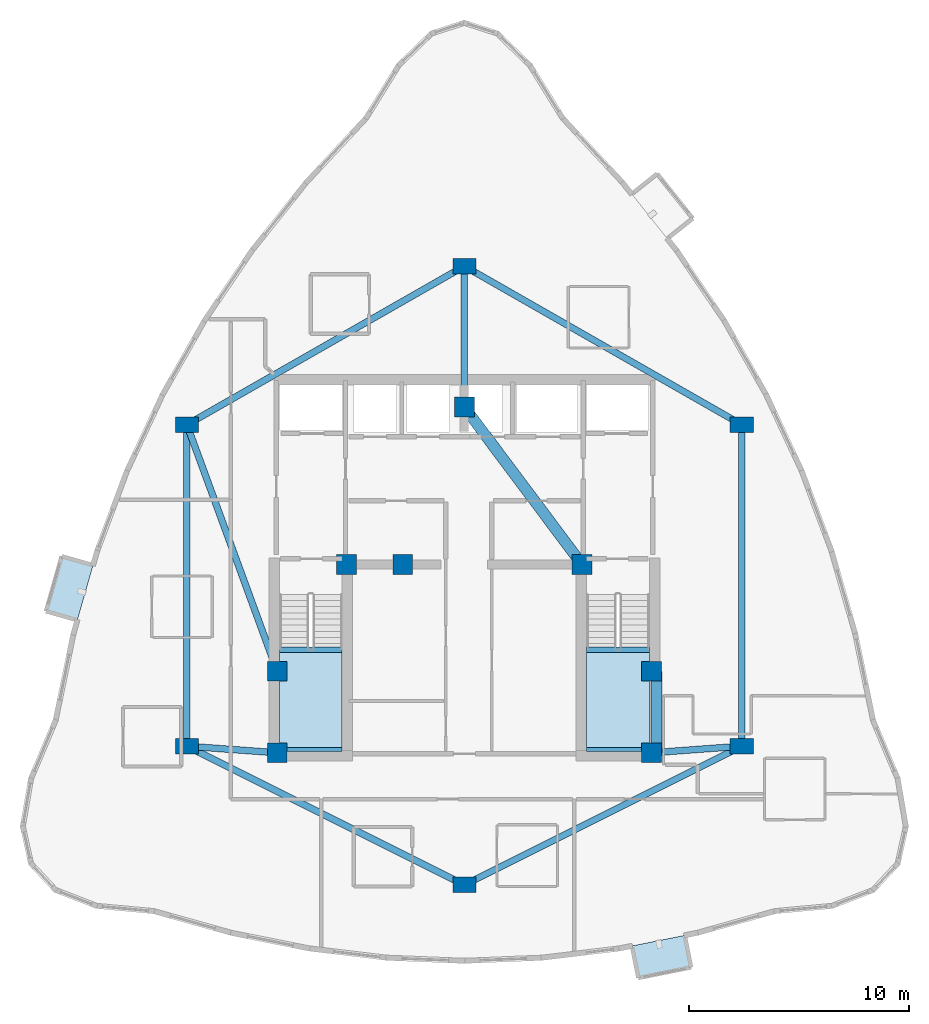
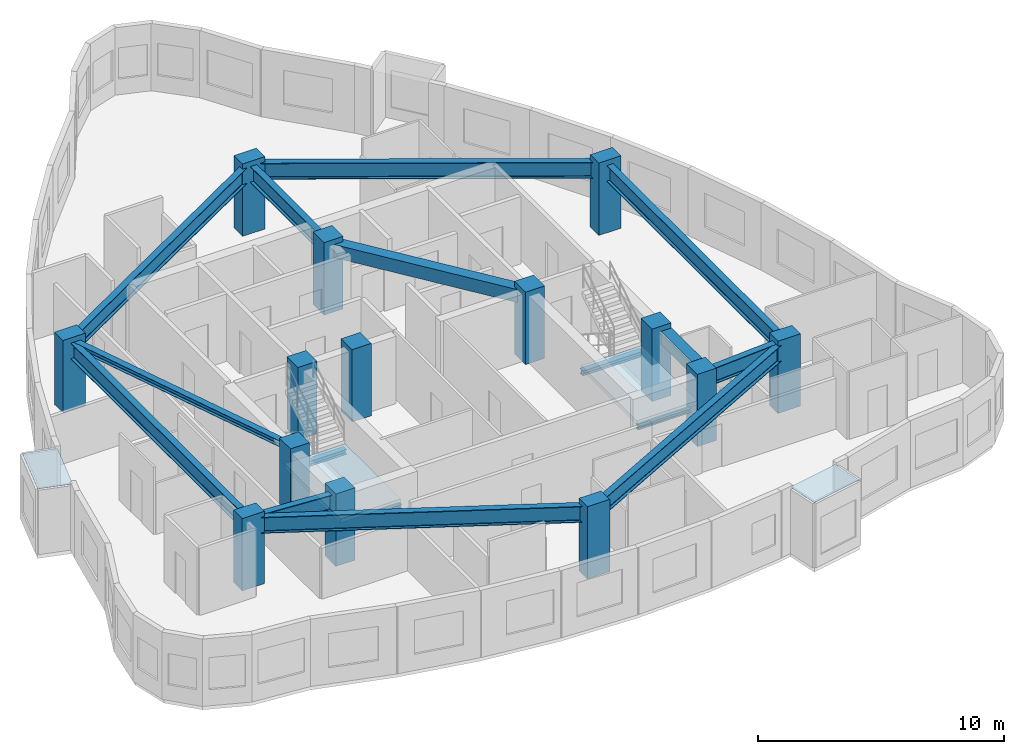
# One storey, part 1 of 8: 16 beams, 14 columns, 2 plates, 2 slabs, 2 elements without a shape of their own.
"""IFC4 building model written with IfcOpenShell, lengths in metres."""

from ifc_helpers import new_model, si_unit, direction, frame, origin, origin_2d, place, context, subcontext, project, spatial, polyline, rectangle, i_section, outline, extrude, material, layer, layer_set, material_profile, profile_set, type_object, element, aggregate, save


model = new_model("IFC4")

# Units and contexts
model_context = context("Model", 3, precision=1e-05, world=origin(), true_north=direction((0.0, 1.0)))
body_context = subcontext(model_context, "Body", "Model", "MODEL_VIEW")
ifc_project = project(units=[si_unit("LENGTHUNIT", "METRE"), si_unit("AREAUNIT", "SQUARE_METRE"), si_unit("VOLUMEUNIT", "CUBIC_METRE"), si_unit("PLANEANGLEUNIT", "RADIAN"), si_unit("MASSUNIT", "GRAM", prefix="KILO")], contexts=[model_context])

# Site, building, storey
site_placement = place(None, origin())
site = spatial("IfcSite", under=ifc_project, at=site_placement, CompositionType="ELEMENT")
building_placement = place(site_placement, origin())
building = spatial("IfcBuilding", under=site, at=building_placement, Name="Miruveldt Soraemaru", CompositionType="ELEMENT")
storey_placement = place(building_placement, frame((0.0, 0.0, 212.39990234375)))
storey = spatial("IfcBuildingStorey", under=building, at=storey_placement, Name="L58", CompositionType="ELEMENT", Elevation=212.39990234375)

# Columns
ifc_material_1 = material(Name="Concrete C50/60 (50 MPa)", Category="concrete")
ifc_material_profile_1 = material_profile(ifc_material_1, rectangle(XDim=0.89990234375, YDim=0.89990234375, at=origin_2d()), Name="Concrete C50/60 (50 MPa)", Category="concrete")
ifc_profile_set_1 = profile_set([ifc_material_profile_1], Name="Concrete C50/60 (50 MPa)")
column_type_1 = type_object("IfcColumnType", Name="COL-CORE-900", PredefinedType="COLUMN", material=ifc_profile_set_1)
for number, where, z_axis, x_axis, name in (
    (1, (35.5, 35.5, 0.0), (0.0, 0.0, 1.0), (1.0, 0.0, 0.0), "L58 Structural Column CC1"),
    (2, (38.64990234375, 44.050048828125, 0.0), (0.0, 0.0, 1.0), (1.0, 0.0, 0.0), "L58 Structural Column CC2"),
    (3, (52.5, 35.5, 0.0), (0.0, 0.0, 1.0), (1.0, 0.0, 0.0), "L58 Structural Column CC3"),
    (4, (52.5, 39.199951171875, 0.0), (0.0, 0.0, 1.0), (1.0, 0.0, 0.0), "L58 Structural Column CC4"),
    (5, (49.35009765625, 44.050048828125, 0.0), (0.0, 0.0, 1.0), (1.0, 0.0, 0.0), "L58 Structural Column CC5"),
    (6, (44.0, 51.199951171875, 0.0), (0.0, 0.0, 1.0), (1.0, 0.0, 0.0), "L58 Structural Column CC6"),
    (7, (35.5, 39.199951171875, 0.0), (0.0, 0.0, 1.0), (1.0, 0.0, 0.0), "L58 Structural Column CC7"),
    (8, (41.199951171875, 44.050048828125, 0.0), (0.0, 0.0, 1.0), (1.0, 0.0, 0.0), "L58 Structural Column CC8"),
):
    element("IfcColumn", number, at=place(storey_placement, frame(where, z_axis=z_axis, x_axis=x_axis)), inside=storey, type_object=column_type_1, Name=name, PredefinedType="COLUMN", context=body_context, shape_type="SweptSolid", body=[
        extrude(rectangle(XDim=0.89990234375, YDim=0.89990234375, at=origin_2d()), origin(), (0.0, 0.0, 1.0), 3.60009765625),
    ])
ifc_material_2 = material(Name="Concrete C60/75 (60 MPa)", Category="concrete")
ifc_material_profile_2 = material_profile(ifc_material_2, rectangle(XDim=1.050048828125, YDim=0.699951171875, at=origin_2d()), Name="Concrete C60/75 (60 MPa)", Category="concrete")
ifc_profile_set_2 = profile_set([ifc_material_profile_2], Name="Concrete C60/75 (60 MPa)")
column_type_2 = type_object("IfcColumnType", Name="COL-TW-Z3", PredefinedType="COLUMN", material=ifc_profile_set_2)
for number, where, z_axis, x_axis, name in (
    (9, (44.0, 57.60009765625, 0.0), (0.0, 0.0, 1.0), (1.0, 0.0, 0.0), "L58 Structural Column IR01"),
    (10, (56.60009765625, 50.39990234375, 0.0), (0.0, 0.0, 1.0), (1.0, 0.0, 0.0), "L58 Structural Column IR02"),
    (11, (56.60009765625, 35.800048828125, 0.0), (0.0, 0.0, 1.0), (1.0, 0.0, 0.0), "L58 Structural Column IR03"),
    (12, (44.0, 29.5, 0.0), (0.0, 0.0, 1.0), (1.0, 0.0, 0.0), "L58 Structural Column IR04"),
    (13, (31.39990234375, 35.800048828125, 0.0), (0.0, 0.0, 1.0), (1.0, 0.0, 0.0), "L58 Structural Column IR05"),
    (14, (31.39990234375, 50.39990234375, 0.0), (0.0, 0.0, 1.0), (1.0, 0.0, 0.0), "L58 Structural Column IR06"),
):
    element("IfcColumn", number, at=place(storey_placement, frame(where, z_axis=z_axis, x_axis=x_axis)), inside=storey, type_object=column_type_2, Name=name, PredefinedType="COLUMN", context=body_context, shape_type="SweptSolid", body=[
        extrude(rectangle(XDim=1.050048828125, YDim=0.699951171875, at=origin_2d()), origin(), (0.0, 0.0, 1.0), 3.60009765625),
    ])

# Beams
ifc_material_3 = material(Name="Steel SM355 (355 MPa)", Category="steel")
ifc_material_profile_3 = material_profile(ifc_material_3, i_section(OverallWidth=0.300048828125, OverallDepth=0.300048828125, WebThickness=0.010009765625, FlangeThickness=0.014892578125, FilletRadius=0.01806640625, at=origin_2d()), Name="Steel SM355 (355 MPa)", Category="steel")
ifc_profile_set_3 = profile_set([ifc_material_profile_3], Name="Steel SM355 (355 MPa)")
beam_type_1 = type_object("IfcBeamType", Name="BM-LNT-H300", PredefinedType="LINTEL", material=ifc_profile_set_3)
beam_1_placement = place(storey_placement, frame((31.39990234375, 50.39990234375, 3.195068359375), z_axis=(0.343770424598, -0.939053723262, 0.0), x_axis=(0.939053723262, 0.343770424598, 0.0)))
element("IfcBeam", 15, at=beam_1_placement, inside=storey, type_object=beam_type_1, Name="L58 West Lobby Lintel", PredefinedType="LINTEL", context=body_context, shape_type="SweptSolid", body=[
    extrude(i_section(OverallWidth=0.300048828125, OverallDepth=0.300048828125, WebThickness=0.010009765625, FlangeThickness=0.014892578125, FilletRadius=0.01806640625, at=origin_2d()), origin(), (0.0, 0.0, 1.0), 11.9267578125),
])
ifc_material_profile_4 = material_profile(ifc_material_1, rectangle(XDim=0.5, YDim=0.64990234375, at=origin_2d()), Name="Concrete C50/60 (50 MPa)", Category="concrete")
ifc_profile_set_4 = profile_set([ifc_material_profile_4], Name="Concrete C50/60 (50 MPa)")
beam_type_2 = type_object("IfcBeamType", Name="BM-RC-500x650", PredefinedType="BEAM", material=ifc_profile_set_4)
beam_2_placement = place(storey_placement, frame((52.72998046875, 35.5, 3.02001953125), z_axis=(0.0, 1.0, 0.0), x_axis=(-1.0, 0.0, 0.0)))
element("IfcBeam", 16, at=beam_2_placement, inside=storey, type_object=beam_type_2, Name="L58 Core Tie Beam 3", PredefinedType="BEAM", context=body_context, shape_type="SweptSolid", body=[
    extrude(rectangle(XDim=0.5, YDim=0.64990234375, at=origin_2d()), origin(), (0.0, 0.0, 1.0), 3.699951171875),
])
beam_3_placement = place(storey_placement, frame((49.35009765625, 44.050048828125, 3.02001953125), z_axis=(-0.599116023999, 0.800662219533, 0.0), x_axis=(-0.800662219533, -0.599116023999, 0.0)))
element("IfcBeam", 17, at=beam_3_placement, inside=storey, type_object=beam_type_2, Name="L58 Core Tie Beam 5", PredefinedType="BEAM", context=body_context, shape_type="SweptSolid", body=[
    extrude(rectangle(XDim=0.5, YDim=0.64990234375, at=origin_2d()), origin(), (0.0, 0.0, 1.0), 8.929931640625),
])
ifc_material_4 = material(Name="Steel S460 (460 MPa)", Category="steel")
ifc_material_profile_5 = material_profile(ifc_material_4, i_section(OverallWidth=0.300048828125, OverallDepth=0.800048828125, WebThickness=0.013916015625, FlangeThickness=0.02587890625, FilletRadius=0.028076171875, at=origin_2d()), Name="Steel S460 (460 MPa)", Category="steel")
ifc_profile_set_5 = profile_set([ifc_material_profile_5], Name="Steel S460 (460 MPa)")
beam_type_3 = type_object("IfcBeamType", Name="BM-ST-H800", PredefinedType="BEAM", material=ifc_profile_set_5)
beam_4_placement = place(storey_placement, frame((44.0, 57.60009765625, 2.945068359375), z_axis=(0.868239001029, -0.496146185203, 0.0), x_axis=(0.496146185203, 0.868239001029, 0.0)))
element("IfcBeam", 18, at=beam_4_placement, inside=storey, type_object=beam_type_3, Name="L58 Inner Ring Girder 1", PredefinedType="BEAM", context=body_context, shape_type="SweptSolid", body=[
    extrude(i_section(OverallWidth=0.300048828125, OverallDepth=0.800048828125, WebThickness=0.013916015625, FlangeThickness=0.02587890625, FilletRadius=0.028076171875, at=origin_2d()), origin(), (0.0, 0.0, 1.0), 14.51220703125),
])
beam_5_placement = place(storey_placement, frame((44.0, 51.199951171875, 2.945068359375), z_axis=(0.0, 1.0, 0.0), x_axis=(-1.0, 0.0, 0.0)))
element("IfcBeam", 19, at=beam_5_placement, inside=storey, type_object=beam_type_3, Name="L58 Core-to-Inner Radial Girder 1", PredefinedType="BEAM", context=body_context, shape_type="SweptSolid", body=[
    extrude(i_section(OverallWidth=0.300048828125, OverallDepth=0.800048828125, WebThickness=0.013916015625, FlangeThickness=0.02587890625, FilletRadius=0.028076171875, at=origin_2d()), origin(), (0.0, 0.0, 1.0), 6.400146484375),
])
beam_6_placement = place(storey_placement, frame((56.60009765625, 50.39990234375, 2.945068359375), z_axis=(0.0, -1.0, 0.0), x_axis=(1.0, 0.0, 0.0)))
element("IfcBeam", 20, at=beam_6_placement, inside=storey, type_object=beam_type_3, Name="L58 Inner Ring Girder 2", PredefinedType="BEAM", context=body_context, shape_type="SweptSolid", body=[
    extrude(i_section(OverallWidth=0.300048828125, OverallDepth=0.800048828125, WebThickness=0.013916015625, FlangeThickness=0.02587890625, FilletRadius=0.028076171875, at=origin_2d()), origin(), (0.0, 0.0, 1.0), 14.599853515625),
])
beam_7_placement = place(storey_placement, frame((56.60009765625, 35.800048828125, 2.945068359375), z_axis=(-0.894427191, -0.4472135955, 0.0), x_axis=(0.4472135955, -0.894427191, 0.0)))
element("IfcBeam", 21, at=beam_7_placement, inside=storey, type_object=beam_type_3, Name="L58 Inner Ring Girder 3", PredefinedType="BEAM", context=body_context, shape_type="SweptSolid", body=[
    extrude(i_section(OverallWidth=0.300048828125, OverallDepth=0.800048828125, WebThickness=0.013916015625, FlangeThickness=0.02587890625, FilletRadius=0.028076171875, at=origin_2d()), origin(), (0.0, 0.0, 1.0), 14.08740234375),
])
beam_8_placement = place(storey_placement, frame((52.5, 35.5, 2.945068359375), z_axis=(0.997332985605, 0.072985723431, 0.0), x_axis=(-0.072985723431, 0.997332985605, 0.0)))
element("IfcBeam", 22, at=beam_8_placement, inside=storey, type_object=beam_type_3, Name="L58 Core-to-Inner Radial Girder 3", PredefinedType="BEAM", context=body_context, shape_type="SweptSolid", body=[
    extrude(i_section(OverallWidth=0.300048828125, OverallDepth=0.800048828125, WebThickness=0.013916015625, FlangeThickness=0.02587890625, FilletRadius=0.028076171875, at=origin_2d()), origin(), (0.0, 0.0, 1.0), 4.111083984375),
])
beam_9_placement = place(storey_placement, frame((44.0, 29.5, 2.945068359375), z_axis=(-0.894427191, 0.4472135955, 0.0), x_axis=(-0.4472135955, -0.894427191, 0.0)))
element("IfcBeam", 23, at=beam_9_placement, inside=storey, type_object=beam_type_3, Name="L58 Inner Ring Girder 4", PredefinedType="BEAM", context=body_context, shape_type="SweptSolid", body=[
    extrude(i_section(OverallWidth=0.300048828125, OverallDepth=0.800048828125, WebThickness=0.013916015625, FlangeThickness=0.02587890625, FilletRadius=0.028076171875, at=origin_2d()), origin(), (0.0, 0.0, 1.0), 14.08740234375),
])
beam_10_placement = place(storey_placement, frame((31.39990234375, 35.800048828125, 2.945068359375), z_axis=(0.0, 1.0, 0.0), x_axis=(-1.0, 0.0, 0.0)))
element("IfcBeam", 24, at=beam_10_placement, inside=storey, type_object=beam_type_3, Name="L58 Inner Ring Girder 5", PredefinedType="BEAM", context=body_context, shape_type="SweptSolid", body=[
    extrude(i_section(OverallWidth=0.300048828125, OverallDepth=0.800048828125, WebThickness=0.013916015625, FlangeThickness=0.02587890625, FilletRadius=0.028076171875, at=origin_2d()), origin(), (0.0, 0.0, 1.0), 14.599853515625),
])
beam_11_placement = place(storey_placement, frame((35.5, 35.5, 2.945068359375), z_axis=(-0.997332985605, 0.072985723431, 0.0), x_axis=(-0.072985723431, -0.997332985605, 0.0)))
element("IfcBeam", 25, at=beam_11_placement, inside=storey, type_object=beam_type_3, Name="L58 Core-to-Inner Radial Girder 5", PredefinedType="BEAM", context=body_context, shape_type="SweptSolid", body=[
    extrude(i_section(OverallWidth=0.300048828125, OverallDepth=0.800048828125, WebThickness=0.013916015625, FlangeThickness=0.02587890625, FilletRadius=0.028076171875, at=origin_2d()), origin(), (0.0, 0.0, 1.0), 4.111083984375),
])
beam_12_placement = place(storey_placement, frame((31.39990234375, 50.39990234375, 2.945068359375), z_axis=(0.868239001029, 0.496146185203, 0.0), x_axis=(-0.496146185203, 0.868239001029, 0.0)))
element("IfcBeam", 26, at=beam_12_placement, inside=storey, type_object=beam_type_3, Name="L58 Inner Ring Girder 6", PredefinedType="BEAM", context=body_context, shape_type="SweptSolid", body=[
    extrude(i_section(OverallWidth=0.300048828125, OverallDepth=0.800048828125, WebThickness=0.013916015625, FlangeThickness=0.02587890625, FilletRadius=0.028076171875, at=origin_2d()), origin(), (0.0, 0.0, 1.0), 14.51220703125),
])
ifc_material_profile_6 = material_profile(ifc_material_3, i_section(OverallWidth=0.199951171875, OverallDepth=0.199951171875, WebThickness=0.008056640625, FlangeThickness=0.011962890625, FilletRadius=0.012939453125, at=origin_2d()), Name="Steel SM355 (355 MPa)", Category="steel")
ifc_profile_set_6 = profile_set([ifc_material_profile_6], Name="Steel SM355 (355 MPa)")
beam_type_4 = type_object("IfcBeamType", Name="BM-ST-LND200", PredefinedType="BEAM", material=ifc_profile_set_6)
for number, where, z_axis, x_axis, name in (
    (27, (35.60009765625, 35.64990234375, 1.5), (1.0, 0.0, 0.0), (0.0, 1.0, 0.0), "L58 ST1 Landing End Beam 1B"),
    (28, (49.550048828125, 35.64990234375, 1.5), (1.0, 0.0, 0.0), (0.0, 1.0, 0.0), "L58 ST2 Landing End Beam 1B"),
):
    element("IfcBeam", number, at=place(storey_placement, frame(where, z_axis=z_axis, x_axis=x_axis)), inside=storey, type_object=beam_type_4, Name=name, PredefinedType="BEAM", context=body_context, shape_type="SweptSolid", body=[
        extrude(i_section(OverallWidth=0.199951171875, OverallDepth=0.199951171875, WebThickness=0.008056640625, FlangeThickness=0.011962890625, FilletRadius=0.012939453125, at=origin_2d()), origin(), (0.0, 0.0, 1.0), 2.849853515625),
    ])
ifc_material_profile_7 = material_profile(ifc_material_3, i_section(OverallWidth=0.25, OverallDepth=0.25, WebThickness=0.009033203125, FlangeThickness=0.013916015625, FilletRadius=0.01611328125, at=origin_2d()), Name="Steel SM355 (355 MPa)", Category="steel")
ifc_profile_set_7 = profile_set([ifc_material_profile_7], Name="Steel SM355 (355 MPa)")
beam_type_5 = type_object("IfcBeamType", Name="BM-ST-LND250", PredefinedType="BEAM", material=ifc_profile_set_7)
for number, where, z_axis, x_axis, name in (
    (29, (35.60009765625, 40.179931640625, 1.47509765625), (1.0, 0.0, 0.0), (0.0, 1.0, 0.0), "L58 ST1 Landing Support Beam 1A"),
    (30, (49.550048828125, 40.179931640625, 1.47509765625), (1.0, 0.0, 0.0), (0.0, 1.0, 0.0), "L58 ST2 Landing Support Beam 1A"),
):
    element("IfcBeam", number, at=place(storey_placement, frame(where, z_axis=z_axis, x_axis=x_axis)), inside=storey, type_object=beam_type_5, Name=name, PredefinedType="BEAM", context=body_context, shape_type="SweptSolid", body=[
        extrude(i_section(OverallWidth=0.25, OverallDepth=0.25, WebThickness=0.009033203125, FlangeThickness=0.013916015625, FilletRadius=0.01611328125, at=origin_2d()), origin(), (0.0, 0.0, 1.0), 2.849853515625),
    ])

# Plates
ifc_material_5 = material(Name="Standing-seam titanium-zinc sheet", Category="aluminium")
ifc_layer_1 = layer(ifc_material_5, 0.011962890625, Name="Standing-seam titanium-zinc sheet", Category="aluminium")
ifc_layer_set_1 = layer_set([ifc_layer_1], Name="Standing-seam titanium-zinc sheet")
plate_type = type_object("IfcPlateType", Name="PLT-ZINC-12", PredefinedType="SHEET", material=ifc_layer_set_1)
plate_1_placement = place(storey_placement, frame((0.0, 0.0, 3.195068359375)))
element("IfcPlate", 31, at=plate_1_placement, inside=storey, type_object=plate_type, Name="L58 Bay Window Zinc Hood Sheet 3", PredefinedType="SHEET", context=body_context, shape_type="SweptSolid", body=[
    extrude(outline(polyline([(27.134521484375, 44.02099609375), (26.419677734375, 41.521240234375), (24.99658203125, 41.92822265625), (25.711669921875, 44.427978515625), (27.134521484375, 44.02099609375)])), origin(), (0.0, 0.0, 1.0), 0.011962890625),
])
plate_2_placement = place(storey_placement, frame((0.0, 0.0, 3.195068359375)))
element("IfcPlate", 32, at=plate_2_placement, inside=storey, type_object=plate_type, Name="L58 Bay Window Zinc Hood Sheet 1", PredefinedType="SHEET", context=body_context, shape_type="SweptSolid", body=[
    extrude(outline(polyline([(51.613037109375, 26.72509765625), (54.009765625, 27.204345703125), (54.2998046875, 25.7529296875), (51.9033203125, 25.273681640625), (51.613037109375, 26.72509765625)])), origin(), (0.0, 0.0, 1.0), 0.011962890625),
])

# Stair, slab
ifc_material_6 = material(Name="Concrete C40/50 (40 MPa)", Category="concrete")
stair_type = type_object("IfcStairType", Name="STAIR-DL-360", PredefinedType="HALF_TURN_STAIR", material=ifc_material_6)
stair_1_placement = place(storey_placement, origin())
stair_1 = element("IfcStair", 33, at=stair_1_placement, inside=storey, type_object=stair_type, Name="L58 Protected Exit Stair ST-1", PredefinedType="HALF_TURN_STAIR")
ifc_layer_2 = layer(ifc_material_6, 0.199951171875, Name="Concrete C40/50 (40 MPa)", Category="concrete")
ifc_layer_set_2 = layer_set([ifc_layer_2], Name="Concrete C40/50 (40 MPa)")
slab_type = type_object("IfcSlabType", Name="SLAB-LAND-200", PredefinedType="LANDING", material=ifc_layer_set_2)
slab_1_placement = place(storey_placement, frame((0.0, 0.0, 1.60009765625)))
slab_1 = element("IfcSlab", 34, at=slab_1_placement, type_object=slab_type, Name="ST-1 landing 1", PredefinedType="LANDING", context=body_context, shape_type="SweptSolid", body=[
    extrude(outline(polyline([(35.60009765625, 40.197998046875), (35.60009765625, 35.64990234375), (38.449951171875, 35.64990234375), (38.449951171875, 40.197998046875), (35.60009765625, 40.197998046875)])), origin(), (0.0, 0.0, 1.0), 0.199951171875),
])
aggregate(stair_1, [slab_1])

stair_2_placement = place(storey_placement, origin())
stair_2 = element("IfcStair", 35, at=stair_2_placement, inside=storey, type_object=stair_type, Name="L58 Protected Exit Stair ST-2", PredefinedType="HALF_TURN_STAIR")
slab_2_placement = place(storey_placement, frame((0.0, 0.0, 1.60009765625)))
slab_2 = element("IfcSlab", 36, at=slab_2_placement, type_object=slab_type, Name="ST-2 landing 1", PredefinedType="LANDING", context=body_context, shape_type="SweptSolid", body=[
    extrude(outline(polyline([(49.550048828125, 40.197998046875), (49.550048828125, 35.64990234375), (52.39990234375, 35.64990234375), (52.39990234375, 40.197998046875), (49.550048828125, 40.197998046875)])), origin(), (0.0, 0.0, 1.0), 0.199951171875),
])
aggregate(stair_2, [slab_2])

save(model, "model.ifc")
